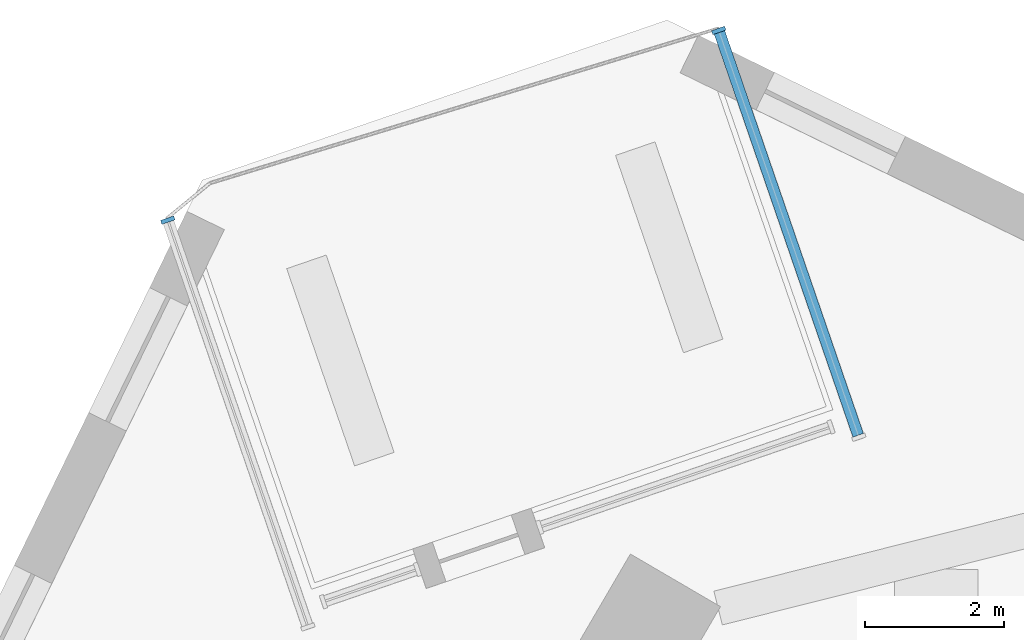
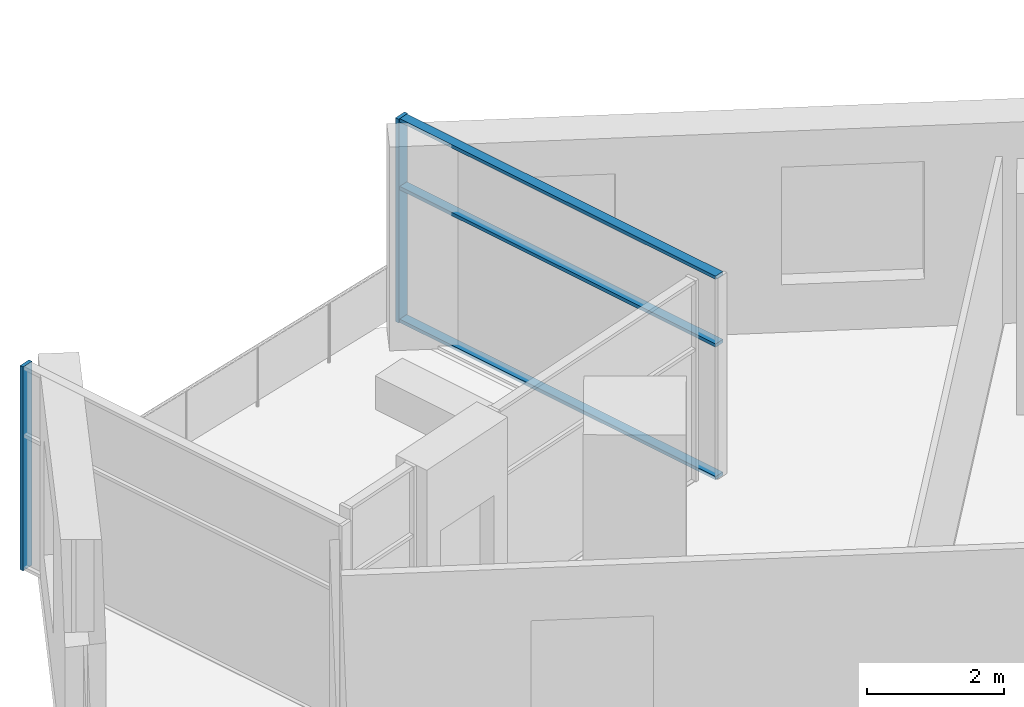
# One storey, part 4 of 13: 5 members, 2 elements without a shape of their own.
"""IFC4 building model written with IfcOpenShell, lengths in metres."""

import ifcopenshell
import ifcopenshell.guid

model = None  # the IFC model being written
_history = None  # IfcOwnerHistory: only IFC2X3 demands one
_inside = {}  # id of a spatial element -> (the spatial element, [elements in it])
_under = {}  # id of a project, library or spatial element -> (it, [spatial elements below it])
_declared = {}  # id of a project -> (the project, [libraries it declares])
_typed = {}  # id of a type object -> (the type object, [elements of that type])
_made_of = {}  # id of a material, layer set ... -> (it, [elements and type objects made of it])


def new_model(schema):
    """Start an empty IFC model of exactly this schema.

    Asked for "IFC4X3", IfcOpenShell would pick the latest addendum, in which some entities
    have other attributes; the version numbers below select the first issue.
    IFC2X3 requires an IfcOwnerHistory on every rooted entity: one is made here for all.
    """
    global model, _history
    if schema == "IFC4X3":
        model = ifcopenshell.file(schema_version=(4, 3, 0, 0))
    else:
        model = ifcopenshell.file(schema=schema)
    _inside.clear()
    _under.clear()
    _declared.clear()
    _typed.clear()
    _made_of.clear()
    _history = None
    if model.schema == "IFC2X3":
        org = make("IfcOrganization", Name="unknown")
        user = make(
            "IfcPersonAndOrganization",
            ThePerson=make("IfcPerson", FamilyName="unknown"),
            TheOrganization=org,
        )
        app = make(
            "IfcApplication",
            ApplicationDeveloper=org,
            Version="unknown",
            ApplicationFullName="unknown",
            ApplicationIdentifier="unknown",
        )
        _history = make(
            "IfcOwnerHistory",
            OwningUser=user,
            OwningApplication=app,
            ChangeAction="ADDED",
            CreationDate=0,
        )
    return model


def make(cls, **values):
    """One entity of the class cls with the attributes given. An attribute that is None is left unset."""
    return model.create_entity(
        cls, **{name: value for name, value in values.items() if value is not None}
    )


def rooted(cls, **values):
    """An entity with a GlobalId (a new one), such as an element, a storey or a relation."""
    return make(cls, GlobalId=ifcopenshell.guid.new(), OwnerHistory=_history, **values)


def si_unit(unit_type, name, prefix=None):
    """IfcSIUnit, for example si_unit("LENGTHUNIT", "METRE", prefix="MILLI")."""
    return make("IfcSIUnit", UnitType=unit_type, Prefix=prefix, Name=name)


def assignment(units):
    """IfcUnitAssignment: the units of a project."""
    return None if units is None else make("IfcUnitAssignment", Units=units)


def point(xyz):
    """IfcCartesianPoint."""
    return None if xyz is None else make("IfcCartesianPoint", Coordinates=xyz)


def direction(xyz):
    """IfcDirection."""
    return None if xyz is None else make("IfcDirection", DirectionRatios=xyz)


def frame(location, z_axis=None, x_axis=None):
    """IfcAxis2Placement3D, a coordinate frame: its origin and axes. An axis left out is left unset."""
    return make(
        "IfcAxis2Placement3D",
        Location=point(location),
        Axis=direction(z_axis),
        RefDirection=direction(x_axis),
    )


def frame_2d(location, x_axis=None):
    """IfcAxis2Placement2D, a coordinate frame in the plane: its origin and x axis."""
    return make(
        "IfcAxis2Placement2D", Location=point(location), RefDirection=direction(x_axis)
    )


def origin():
    """The frame at (0, 0, 0) with its axes left unset."""
    return frame((0.0, 0.0, 0.0))


def origin_2d():
    """The frame at (0, 0) in the plane with its x axis left unset."""
    return frame_2d((0.0, 0.0))


def place(relative_to, where):
    """IfcLocalPlacement: puts the frame where relative to a parent placement (None: the world)."""
    return make(
        "IfcLocalPlacement", PlacementRelTo=relative_to, RelativePlacement=where
    )


def context(
    kind, dimensions, precision=None, world=None, true_north=None, identifier=None
):
    """IfcGeometricRepresentationContext, for example the 3D "Model" context."""
    return make(
        "IfcGeometricRepresentationContext",
        ContextIdentifier=identifier,
        ContextType=kind,
        CoordinateSpaceDimension=dimensions,
        Precision=precision,
        WorldCoordinateSystem=world,
        TrueNorth=true_north,
    )


def subcontext(parent, identifier, kind, view, scale=None):
    """IfcGeometricRepresentationSubContext, for example "Body" below "Model"."""
    return make(
        "IfcGeometricRepresentationSubContext",
        ContextIdentifier=identifier,
        ContextType=kind,
        ParentContext=parent,
        TargetScale=scale,
        TargetView=view,
    )


def project(units=None, contexts=None):
    """IfcProject with its units and contexts."""
    return rooted(
        "IfcProject",
        Name="project",
        RepresentationContexts=contexts,
        UnitsInContext=assignment(units),
    )


def spatial(cls, under=None, at=None, **own):
    """A site, building, storey or space (cls), placed at a placement, below another one or the project."""
    s = rooted(cls, ObjectPlacement=at, **own)
    if under is not None:
        _under.setdefault(under.id(), (under, []))[1].append(s)
    return s


def profile(cls, at=None, kind="AREA", **sizes):
    """A parametric profile (cls). Its sizes go by their IFC names, for example OverallWidth=200.0."""
    return make(cls, ProfileType=kind, Position=at, **sizes)


def rectangle(**sizes):
    """IfcRectangleProfileDef."""
    return profile("IfcRectangleProfileDef", **sizes)


def extrude(swept, where, along, depth):
    """IfcExtrudedAreaSolid: the profile swept, set in the frame where, extruded along a direction by depth."""
    return make(
        "IfcExtrudedAreaSolid",
        SweptArea=swept,
        Position=where,
        ExtrudedDirection=direction(along),
        Depth=depth,
    )


def shape(context_of_items, identifier, shape_type, items):
    """IfcShapeRepresentation: the items that make up one representation, for example the "Body"."""
    return make(
        "IfcShapeRepresentation",
        ContextOfItems=context_of_items,
        RepresentationIdentifier=identifier,
        RepresentationType=shape_type,
        Items=items,
    )


def material(Name=None, Category=None):
    """IfcMaterial."""
    return make("IfcMaterial", Name=Name, Category=Category)


def material_profile(
    of_material, cross_section, Name=None, Category=None, Priority=None
):
    """IfcMaterialProfile: a cross section and its material."""
    return make(
        "IfcMaterialProfile",
        Name=Name,
        Material=of_material,
        Profile=cross_section,
        Priority=Priority,
        Category=Category,
    )


def profile_set(profiles, Name=None, composite=None):
    """IfcMaterialProfileSet."""
    return make(
        "IfcMaterialProfileSet",
        Name=Name,
        MaterialProfiles=profiles,
        CompositeProfile=composite,
    )


def made_of(thing, what):
    """Note that an element or type object is made of a material, layer set ...; save() writes the relation."""
    if what is not None:
        _made_of.setdefault(what.id(), (what, []))[1].append(thing)
    return thing


def type_object(cls, material=None, **own):
    """A type object (cls), such as IfcWallType, which elements share."""
    return made_of(rooted(cls, **own), material)


def element(
    cls,
    number,
    at=None,
    inside=None,
    cuts=None,
    type_object=None,
    material=None,
    context=None,
    identifier="Body",
    shape_type=None,
    held_by="IfcProductDefinitionShape",
    body=None,
    shapes=None,
    **own,
):
    """One element of the class cls, such as IfcWall. Its Tag is "e" and its number.

    at: its placement. inside: the storey or other place that contains it. cuts: it is an
    opening in that element (IfcRelVoidsElement). A single representation is given by context,
    identifier, shape_type and body (its items); several are given by shapes. held_by: the class
    of the entity that holds the representations. save() writes the other relations.
    """
    e = rooted(cls, Tag="e%d" % number, ObjectPlacement=at, **own)
    if body is not None:
        shapes = [shape(context, identifier, shape_type, body)]
    if shapes is not None:
        e.Representation = make(held_by, Representations=shapes)
    if inside is not None:
        _inside.setdefault(inside.id(), (inside, []))[1].append(e)
    if cuts is not None:
        rooted(
            "IfcRelVoidsElement", RelatingBuildingElement=cuts, RelatedOpeningElement=e
        )
    if type_object is not None:
        _typed.setdefault(type_object.id(), (type_object, []))[1].append(e)
    return made_of(e, material)


def aggregate(whole, parts):
    """IfcRelAggregates: a whole, such as a stair, and the parts it consists of."""
    return rooted("IfcRelAggregates", RelatingObject=whole, RelatedObjects=parts)


def save(model, path):
    """Write the relations noted so far, then the file.

    IfcRelAggregates (storeys below a building ...), IfcRelContainedInSpatialStructure (elements
    in a storey), IfcRelDefinesByType, IfcRelAssociatesMaterial and IfcRelDeclares: one each for
    every whole, place, type object, material and project.
    """
    for whole, parts in _under.values():
        aggregate(whole, parts)
    for where, things in _inside.values():
        rooted(
            "IfcRelContainedInSpatialStructure",
            RelatedElements=things,
            RelatingStructure=where,
        )
    for kind, things in _typed.values():
        rooted("IfcRelDefinesByType", RelatedObjects=things, RelatingType=kind)
    for what, things in _made_of.values():
        rooted("IfcRelAssociatesMaterial", RelatedObjects=things, RelatingMaterial=what)
    for by, libraries in _declared.values():
        rooted("IfcRelDeclares", RelatingContext=by, RelatedDefinitions=libraries)
    model.write(path)


model = new_model("IFC4")

# Units and contexts
model_context = context("Model", 3, precision=1e-05, world=origin(), true_north=direction((0.0, 1.0)))
body_context = subcontext(model_context, "Body", "Model", "MODEL_VIEW")
ifc_project = project(units=[si_unit("LENGTHUNIT", "METRE"), si_unit("AREAUNIT", "SQUARE_METRE"), si_unit("VOLUMEUNIT", "CUBIC_METRE"), si_unit("PLANEANGLEUNIT", "RADIAN"), si_unit("MASSUNIT", "GRAM", prefix="KILO")], contexts=[model_context])

# Site, building, storey
site_placement = place(None, origin())
site = spatial("IfcSite", under=ifc_project, at=site_placement, CompositionType="ELEMENT")
building_placement = place(site_placement, origin())
building = spatial("IfcBuilding", under=site, at=building_placement, Name="Dilmun Exchange Tower", CompositionType="ELEMENT")
storey_placement = place(building_placement, frame((0.0, 0.0, 282.89990234375)))
storey = spatial("IfcBuildingStorey", under=building, at=storey_placement, Name="L67", CompositionType="ELEMENT", Elevation=282.89990234375)

# Curtain wall, member
ifc_material_1 = material(Name="Anodised aluminium and clear glass", Category="aluminium")
curtain_wall_type = type_object("IfcCurtainWallType", Name="Garden corner glazing", PredefinedType="NOTDEFINED", material=ifc_material_1)
curtain_wall_1_placement = place(storey_placement, origin())
curtain_wall_1 = element("IfcCurtainWall", 1, at=curtain_wall_1_placement, inside=storey, type_object=curtain_wall_type, Name="Garden corner glazing run GC1.1", PredefinedType="NOTDEFINED")
ifc_material_2 = material(Name="Anodised aluminium", Category="aluminium")
ifc_material_profile_1 = material_profile(ifc_material_2, rectangle(XDim=0.199951171875, YDim=0.06005859375, at=origin_2d()), Name="AL 60x200")
ifc_profile_set_1 = profile_set([ifc_material_profile_1], Name="Anodised aluminium")
member_type_1 = type_object("IfcMemberType", Name="Garden corner glazing mullion 60 x 200", PredefinedType="MULLION", material=ifc_profile_set_1)
member_1_placement = place(storey_placement, frame((-2.91357421875, 35.011474609375, 0.0), z_axis=(0.0, 0.0, 1.0), x_axis=(0.945515289338, 0.325577698297, 0.0)))
member_1 = element("IfcMember", 2, at=member_1_placement, type_object=member_type_1, Name="GC1.1 mullion 1", PredefinedType="MULLION", context=body_context, shape_type="SweptSolid", body=[
    extrude(rectangle(XDim=0.199951171875, YDim=0.06005859375, at=origin_2d()), origin(), (0.0, 0.0, 1.0), 3.64013671875),
])

curtain_wall_2_placement = place(storey_placement, origin())
curtain_wall_2 = element("IfcCurtainWall", 3, at=curtain_wall_2_placement, inside=storey, type_object=curtain_wall_type, Name="Garden corner glazing run GC3.1", PredefinedType="NOTDEFINED")
member_2_placement = place(storey_placement, frame((-10.835205078125, 32.283935546875, 0.0), z_axis=(0.0, 0.0, 1.0), x_axis=(-0.945516986278, -0.325572770145, 0.0)))
member_2 = element("IfcMember", 4, at=member_2_placement, type_object=member_type_1, Name="GC3.1 mullion 2", PredefinedType="MULLION", context=body_context, shape_type="SweptSolid", body=[
    extrude(rectangle(XDim=0.199951171875, YDim=0.06005859375, at=origin_2d()), origin(), (0.0, 0.0, 1.0), 3.64013671875),
])
aggregate(curtain_wall_2, [member_2])

# Member
ifc_material_profile_2 = material_profile(ifc_material_2, rectangle(XDim=0.159912109375, YDim=0.06005859375, at=origin_2d()), Name="AL 60x160")
ifc_profile_set_2 = profile_set([ifc_material_profile_2], Name="Anodised aluminium")
member_type_2 = type_object("IfcMemberType", Name="Garden corner glazing transom 60 x 160", PredefinedType="USERDEFINED", material=ifc_profile_set_2)
member_3_placement = place(storey_placement, frame((-2.90380859375, 34.983154296875, 0.030029296875), z_axis=(0.325573096467, -0.945516873914, 0.0), x_axis=(0.945516873914, 0.325573096467, 0.0)))
member_3 = element("IfcMember", 5, at=member_3_placement, type_object=member_type_2, Name="GC1.1 transom 1.1", ObjectType="TRANSOM", PredefinedType="USERDEFINED", context=body_context, shape_type="SweptSolid", body=[
    extrude(rectangle(XDim=0.159912109375, YDim=0.06005859375, at=origin_2d()), origin(), (0.0, 0.0, 1.0), 6.12646484375),
])

member_4_placement = place(storey_placement, frame((-2.90380859375, 34.983154296875, 2.400146484375), z_axis=(0.325573096467, -0.945516873914, 0.0), x_axis=(0.945516873914, 0.325573096467, 0.0)))
member_4 = element("IfcMember", 6, at=member_4_placement, type_object=member_type_2, Name="GC1.1 transom 1.2", ObjectType="TRANSOM", PredefinedType="USERDEFINED", context=body_context, shape_type="SweptSolid", body=[
    extrude(rectangle(XDim=0.159912109375, YDim=0.06005859375, at=origin_2d()), origin(), (0.0, 0.0, 1.0), 6.12646484375),
])

member_5_placement = place(storey_placement, frame((-2.90380859375, 34.983154296875, 3.610107421875), z_axis=(0.325573096467, -0.945516873914, 0.0), x_axis=(0.945516873914, 0.325573096467, 0.0)))
member_5 = element("IfcMember", 7, at=member_5_placement, type_object=member_type_2, Name="GC1.1 transom 1.3", ObjectType="TRANSOM", PredefinedType="USERDEFINED", context=body_context, shape_type="SweptSolid", body=[
    extrude(rectangle(XDim=0.159912109375, YDim=0.06005859375, at=origin_2d()), origin(), (0.0, 0.0, 1.0), 6.12646484375),
])

aggregate(curtain_wall_1, [member_1, member_3, member_4, member_5])

save(model, "model.ifc")
